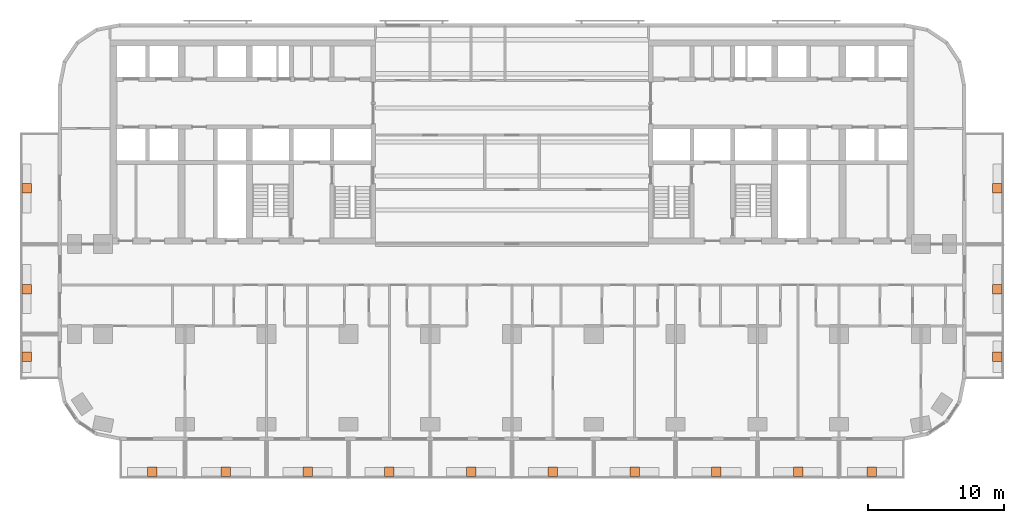
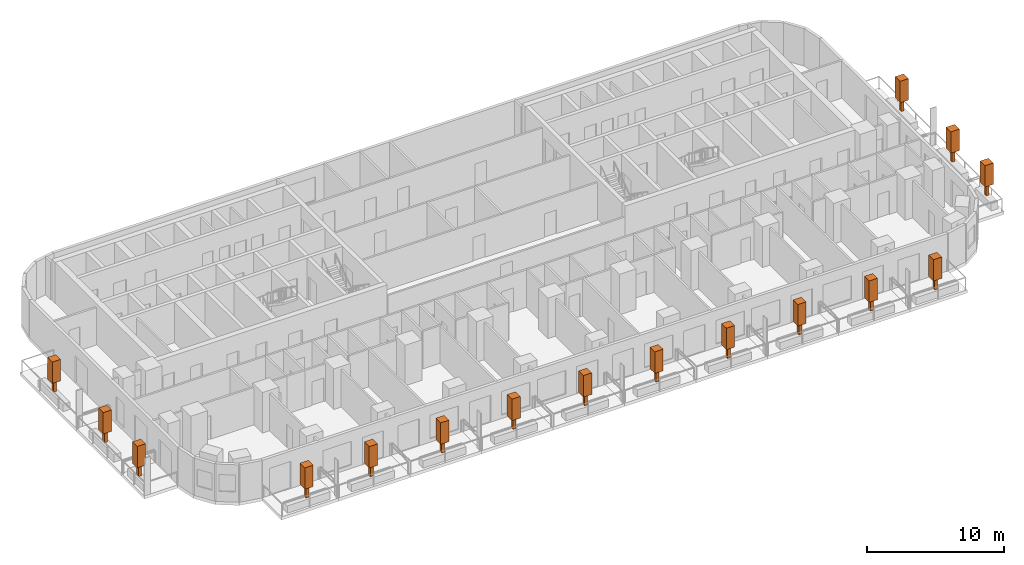
# One storey, part 14 of 14: 16 geographic elements.
"""IFC4 building model written with IfcOpenShell, lengths in metres."""

from ifc_helpers import new_model, si_unit, direction, frame, origin, origin_2d, place, context, subcontext, project, spatial, rectangle, extrude, material, element, save


model = new_model("IFC4")

# Units and contexts
model_context = context("Model", 3, precision=1e-05, world=origin(), true_north=direction((0.0, 1.0)))
body_context = subcontext(model_context, "Body", "Model", "MODEL_VIEW")
ifc_project = project(units=[si_unit("LENGTHUNIT", "METRE"), si_unit("AREAUNIT", "SQUARE_METRE"), si_unit("VOLUMEUNIT", "CUBIC_METRE"), si_unit("PLANEANGLEUNIT", "RADIAN"), si_unit("MASSUNIT", "GRAM", prefix="KILO")], contexts=[model_context])

# Site, building, storey
site_placement = place(None, origin())
site = spatial("IfcSite", under=ifc_project, at=site_placement, CompositionType="ELEMENT")
building_placement = place(site_placement, origin())
building = spatial("IfcBuilding", under=site, at=building_placement, Name="Torana Hotel and Residences", CompositionType="ELEMENT")
storey_placement = place(building_placement, frame((0.0, 0.0, 74.39990234375)))
storey = spatial("IfcBuildingStorey", under=building, at=storey_placement, Name="L18", CompositionType="ELEMENT", Elevation=74.39990234375)

# Geographic elements
ifc_material = material(Name="Foliage", Category="planting")
for number, where, z_axis, x_axis, name in (
    (1, (-26.39990234375, -31.699951171875, 0.650146484375), (0.0, 0.0, 1.0), (1.0, 0.0, 0.0), "Tree 01"),
    (2, (-21.0, -31.699951171875, 0.650146484375), (0.0, 0.0, 1.0), (1.0, 0.0, 0.0), "Tree 02"),
    (3, (-15.0, -31.699951171875, 0.650146484375), (0.0, 0.0, 1.0), (1.0, 0.0, 0.0), "Tree 03"),
    (4, (-9.0, -31.699951171875, 0.650146484375), (0.0, 0.0, 1.0), (1.0, 0.0, 0.0), "Tree 04"),
    (5, (-3.0, -31.699951171875, 0.650146484375), (0.0, 0.0, 1.0), (1.0, 0.0, 0.0), "Tree 05"),
    (6, (3.0, -31.699951171875, 0.650146484375), (0.0, 0.0, 1.0), (1.0, 0.0, 0.0), "Tree 06"),
    (7, (9.0, -31.699951171875, 0.650146484375), (0.0, 0.0, 1.0), (1.0, 0.0, 0.0), "Tree 07"),
    (8, (15.0, -31.699951171875, 0.650146484375), (0.0, 0.0, 1.0), (1.0, 0.0, 0.0), "Tree 08"),
    (9, (21.0, -31.699951171875, 0.650146484375), (0.0, 0.0, 1.0), (1.0, 0.0, 0.0), "Tree 09"),
    (10, (26.39990234375, -31.699951171875, 0.650146484375), (0.0, 0.0, 1.0), (1.0, 0.0, 0.0), "Tree 10"),
    (11, (-35.60009765625, -23.25, 0.650146484375), (0.0, 0.0, 1.0), (1.0, 0.0, 0.0), "Tree 11"),
    (12, (-35.60009765625, -18.300048828125, 0.650146484375), (0.0, 0.0, 1.0), (1.0, 0.0, 0.0), "Tree 12"),
    (13, (-35.60009765625, -10.89990234375, 0.650146484375), (0.0, 0.0, 1.0), (1.0, 0.0, 0.0), "Tree 13"),
    (14, (35.60009765625, -23.25, 0.650146484375), (0.0, 0.0, 1.0), (1.0, 0.0, 0.0), "Tree 14"),
    (15, (35.60009765625, -18.300048828125, 0.650146484375), (0.0, 0.0, 1.0), (1.0, 0.0, 0.0), "Tree 15"),
    (16, (35.60009765625, -10.89990234375, 0.650146484375), (0.0, 0.0, 1.0), (1.0, 0.0, 0.0), "Tree 16"),
):
    element("IfcGeographicElement", number, at=place(storey_placement, frame(where, z_axis=z_axis, x_axis=x_axis)), inside=storey, material=ifc_material, Name=name, ObjectType="TREE", PredefinedType="USERDEFINED", context=body_context, shape_type="SweptSolid", body=[
        extrude(rectangle(XDim=0.25, YDim=0.25, at=origin_2d()), origin(), (0.0, 0.0, 1.0), 1.0),
        extrude(rectangle(XDim=0.699951171875, YDim=0.699951171875, at=origin_2d()), frame((0.0, 0.0, 1.0)), (0.0, 0.0, 1.0), 1.89990234375),
    ])

save(model, "model.ifc")
